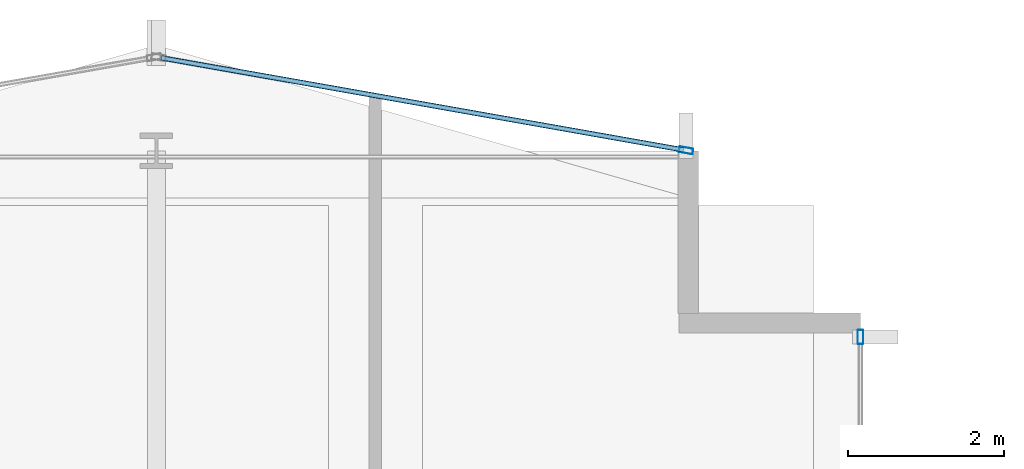
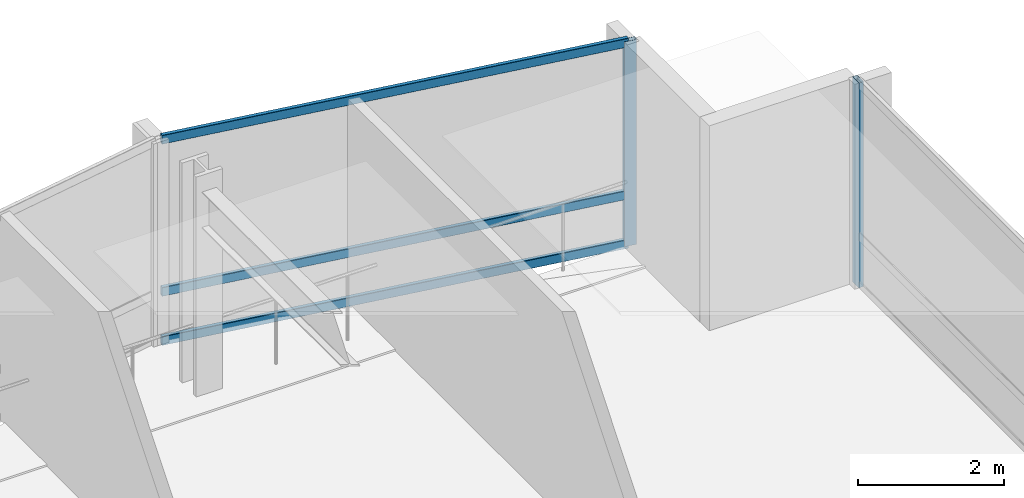
# One storey, part 20 of 28: 5 members, 2 elements without a shape of their own.
"""IFC4 building model written with IfcOpenShell, lengths in metres."""

from ifc_helpers import new_model, si_unit, direction, frame, origin, origin_2d, place, context, subcontext, project, spatial, hollow_rectangle, extrude, material, layer, layer_set, material_profile, profile_set, type_object, element, aggregate, save


model = new_model("IFC4")

# Units and contexts
model_context = context("Model", 3, precision=1e-05, world=origin(), true_north=direction((0.0, 1.0)))
body_context = subcontext(model_context, "Body", "Model", "MODEL_VIEW")
ifc_project = project(units=[si_unit("LENGTHUNIT", "METRE"), si_unit("AREAUNIT", "SQUARE_METRE"), si_unit("VOLUMEUNIT", "CUBIC_METRE"), si_unit("PLANEANGLEUNIT", "RADIAN"), si_unit("MASSUNIT", "GRAM", prefix="KILO")], contexts=[model_context])

# Site, building, storey
site_placement = place(None, origin())
site = spatial("IfcSite", under=ifc_project, at=site_placement, CompositionType="ELEMENT")
building_placement = place(site_placement, origin())
building = spatial("IfcBuilding", under=site, at=building_placement, Name="Solvaryn Broadcast Tower", CompositionType="ELEMENT")
storey_placement = place(building_placement, frame((0.0, 0.0, 135.89990234375)))
storey = spatial("IfcBuildingStorey", under=building, at=storey_placement, Name="L33", CompositionType="ELEMENT", Elevation=135.89990234375)

# Curtain wall, member
ifc_material_1 = material(Name="Aluminium and Terracotta Unitised Curtain Wall", Category="masonry")
ifc_layer = layer(ifc_material_1, 0.199951171875)
ifc_layer_set = layer_set([ifc_layer], Name="CW-SYS2-LOWMID")
curtain_wall_type = type_object("IfcCurtainWallType", Name="CW-SYS2-LOWMID", PredefinedType="NOTDEFINED", material=ifc_layer_set)
curtain_wall_1_placement = place(storey_placement, origin())
curtain_wall_1 = element("IfcCurtainWall", 1, at=curtain_wall_1_placement, inside=storey, type_object=curtain_wall_type, Name="L33 Curtain Wall IV", PredefinedType="NOTDEFINED")
ifc_material_2 = material(Name="Anodised Aluminium 6063-T6", Category="aluminium")
ifc_material_profile_1 = material_profile(ifc_material_2, hollow_rectangle(XDim=0.074951171875, YDim=0.179931640625, WallThickness=0.00390625, InnerFilletRadius=0.00390625, OuterFilletRadius=0.008056640625, at=origin_2d()))
ifc_profile_set_1 = profile_set([ifc_material_profile_1], Name="Anodised Aluminium 6063-T6")
member_type_1 = type_object("IfcMemberType", Name="CW-MUL-180", PredefinedType="MULLION", material=ifc_profile_set_1)
member_1_placement = place(storey_placement, frame((27.0, 51.6201171875, 0.0), z_axis=(0.0, 0.0, 1.0), x_axis=(1.0, 0.0, 0.0)))
member_1 = element("IfcMember", 2, at=member_1_placement, type_object=member_type_1, Name="CWS2 mullion 1", PredefinedType="MULLION", context=body_context, shape_type="SweptSolid", body=[
    extrude(hollow_rectangle(XDim=0.074951171875, YDim=0.179931640625, WallThickness=0.00390625, InnerFilletRadius=0.00390625, OuterFilletRadius=0.008056640625, at=origin_2d()), origin(), (0.0, 0.0, 1.0), 3.420166015625),
])
aggregate(curtain_wall_1, [member_1])

# Curtain wall, members
curtain_wall_2_placement = place(storey_placement, origin())
curtain_wall_2 = element("IfcCurtainWall", 3, at=curtain_wall_2_placement, inside=storey, type_object=curtain_wall_type, Name="L33 Curtain Wall NT1", PredefinedType="NOTDEFINED")
member_2_placement = place(storey_placement, frame((24.7705078125, 54.005126953125, 0.0), z_axis=(0.0, 0.0, 1.0), x_axis=(-0.173785333901, -0.984783558819, 0.0)))
member_2 = element("IfcMember", 4, at=member_2_placement, type_object=member_type_1, Name="CWS2 mullion 1", PredefinedType="MULLION", context=body_context, shape_type="SweptSolid", body=[
    extrude(hollow_rectangle(XDim=0.074951171875, YDim=0.179931640625, WallThickness=0.00390625, InnerFilletRadius=0.00390625, OuterFilletRadius=0.008056640625, at=origin_2d()), origin(), (0.0, 0.0, 1.0), 3.420166015625),
])
ifc_material_3 = material(Name="Anodised Aluminium 6063-T6", Category="aluminium")
ifc_material_profile_2 = material_profile(ifc_material_3, hollow_rectangle(XDim=0.06494140625, YDim=0.14990234375, WallThickness=0.00390625, InnerFilletRadius=0.00390625, OuterFilletRadius=0.008056640625, at=origin_2d()))
ifc_profile_set_2 = profile_set([ifc_material_profile_2], Name="Anodised Aluminium 6063-T6")
member_type_2 = type_object("IfcMemberType", Name="CW-TRN-150", PredefinedType="USERDEFINED", material=ifc_profile_set_2)
member_3_placement = place(storey_placement, frame((24.740966796875, 54.010498046875, 0.030029296875), z_axis=(-0.984788629673, 0.173756596613, 0.0), x_axis=(-0.173756596613, -0.984788629673, 0.0)))
member_3 = element("IfcMember", 5, at=member_3_placement, type_object=member_type_2, Name="CWS2 transom 1.1", ObjectType="TRANSOM", PredefinedType="USERDEFINED", context=body_context, shape_type="SweptSolid", body=[
    extrude(hollow_rectangle(XDim=0.06494140625, YDim=0.14990234375, WallThickness=0.00390625, InnerFilletRadius=0.00390625, OuterFilletRadius=0.008056640625, at=origin_2d()), origin(), (0.0, 0.0, 1.0), 6.78515625),
])
member_4_placement = place(storey_placement, frame((24.740966796875, 54.010498046875, 0.85009765625), z_axis=(-0.984788629673, 0.173756596613, 0.0), x_axis=(-0.173756596613, -0.984788629673, 0.0)))
member_4 = element("IfcMember", 6, at=member_4_placement, type_object=member_type_2, Name="CWS2 transom 1.2", ObjectType="TRANSOM", PredefinedType="USERDEFINED", context=body_context, shape_type="SweptSolid", body=[
    extrude(hollow_rectangle(XDim=0.06494140625, YDim=0.14990234375, WallThickness=0.00390625, InnerFilletRadius=0.00390625, OuterFilletRadius=0.008056640625, at=origin_2d()), origin(), (0.0, 0.0, 1.0), 6.78515625),
])
member_5_placement = place(storey_placement, frame((24.740966796875, 54.010498046875, 3.39013671875), z_axis=(-0.984788629673, 0.173756596613, 0.0), x_axis=(-0.173756596613, -0.984788629673, 0.0)))
member_5 = element("IfcMember", 7, at=member_5_placement, type_object=member_type_2, Name="CWS2 transom 1.3", ObjectType="TRANSOM", PredefinedType="USERDEFINED", context=body_context, shape_type="SweptSolid", body=[
    extrude(hollow_rectangle(XDim=0.06494140625, YDim=0.14990234375, WallThickness=0.00390625, InnerFilletRadius=0.00390625, OuterFilletRadius=0.008056640625, at=origin_2d()), origin(), (0.0, 0.0, 1.0), 6.78515625),
])
aggregate(curtain_wall_2, [member_2, member_3, member_4, member_5])

save(model, "model.ifc")
